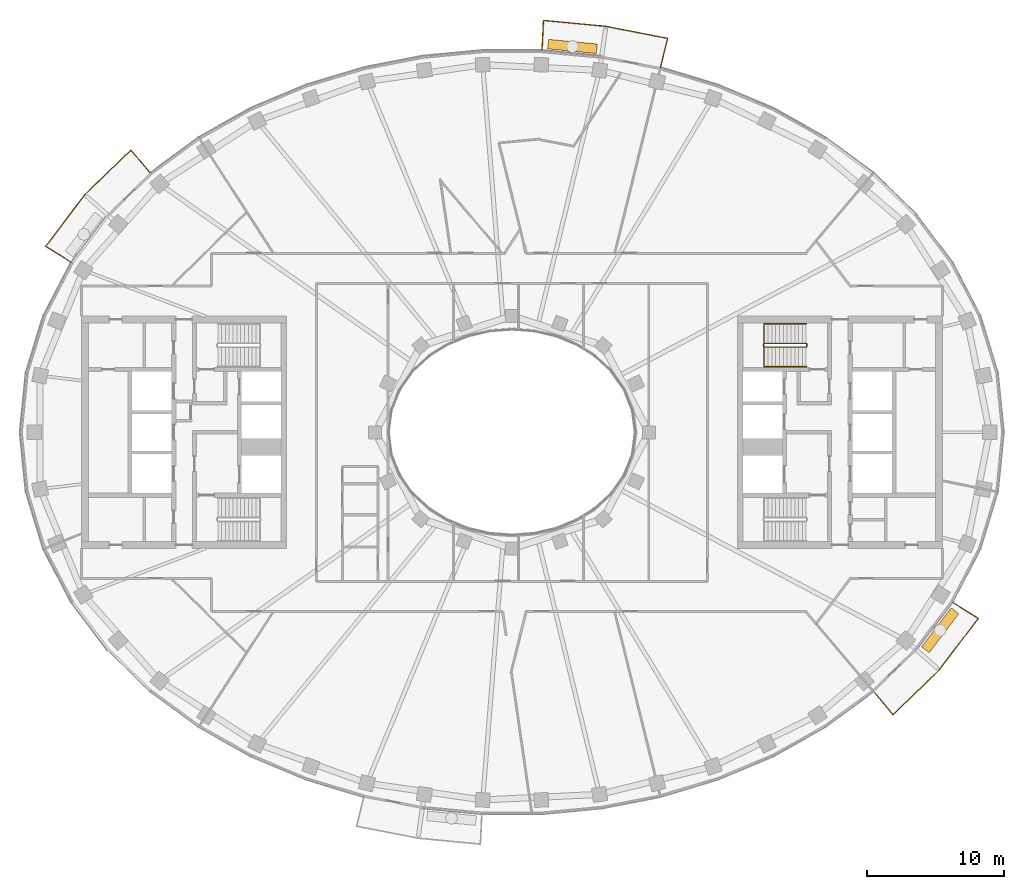
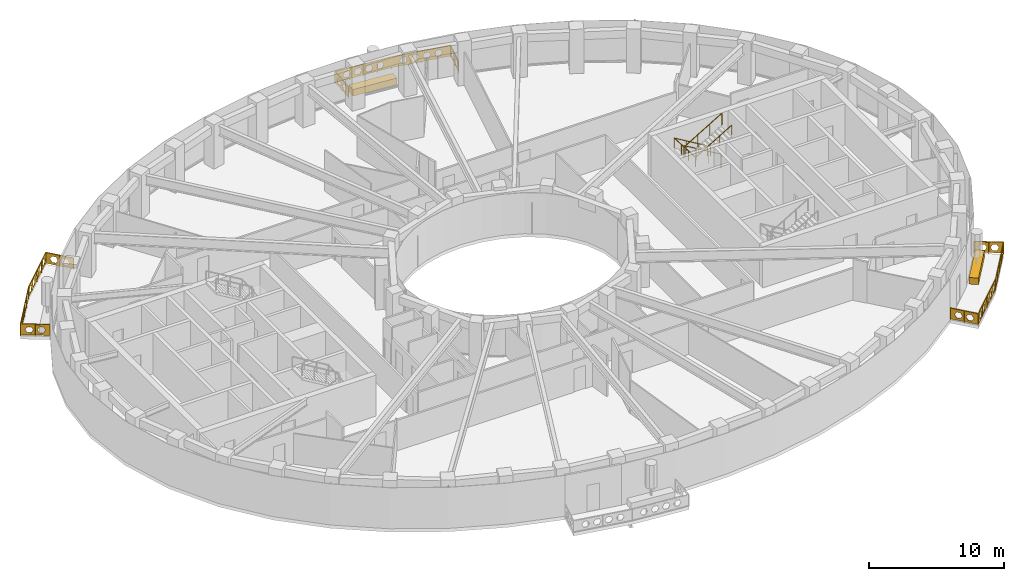
# One storey, part 15 of 16: 5 railings, 2 coverings.
"""IFC4 building model written with IfcOpenShell, lengths in metres."""

from ifc_helpers import new_model, si_unit, direction, frame, origin, origin_2d, place, context, subcontext, project, spatial, polyline, rectangle, outline, extrude, material, type_object, element, save


model = new_model("IFC4")

# Units and contexts
model_context = context("Model", 3, precision=1e-05, world=origin(), true_north=direction((0.0, 1.0)))
body_context = subcontext(model_context, "Body", "Model", "MODEL_VIEW")
ifc_project = project(units=[si_unit("LENGTHUNIT", "METRE"), si_unit("AREAUNIT", "SQUARE_METRE"), si_unit("VOLUMEUNIT", "CUBIC_METRE"), si_unit("PLANEANGLEUNIT", "RADIAN"), si_unit("MASSUNIT", "GRAM", prefix="KILO")], contexts=[model_context])

# Site, building, storey
site_placement = place(None, origin())
site = spatial("IfcSite", under=ifc_project, at=site_placement, CompositionType="ELEMENT")
building_placement = place(site_placement, origin())
building = spatial("IfcBuilding", under=site, at=building_placement, Name="Noorbagh Ring Tower", CompositionType="ELEMENT")
storey_placement = place(building_placement, frame((0.0, 0.0, 261.5)))
storey = spatial("IfcBuildingStorey", under=building, at=storey_placement, Name="L55", CompositionType="ELEMENT", Elevation=261.5)

# Railings
ifc_material_1 = material(Name="Stainless steel", Category="steel")
railing_type_1 = type_object("IfcRailingType", Name="CORE-STAIR-GUARD", PredefinedType="GUARDRAIL", material=ifc_material_1)
railing_1_placement = place(storey_placement, frame((21.580078125, 6.449951171875, 0.0)))
element("IfcRailing", 1, at=railing_1_placement, inside=storey, type_object=railing_type_1, Name="L55 ST3 stair guard", PredefinedType="GUARDRAIL", context=body_context, shape_type="SweptSolid", body=[
    extrude(rectangle(XDim=0.048095703125, YDim=0.048095703125, at=origin_2d()), frame((0.0, 0.0, 1.076171875), z_axis=(0.0, -1.0, 0.0), x_axis=(1.0, 0.0, 0.0)), (0.0, 0.0, 1.0), 0.14990234375),
    extrude(rectangle(XDim=0.048095703125, YDim=0.048095703125, at=origin_2d()), frame((0.0, -0.14990234375, 1.076171875), z_axis=(-0.188775798145, 0.754182335027, 0.628945707965), x_axis=(-0.970072785993, -0.242814311512, 0.0)), (0.0, 0.0, 1.0), 0.26513671875),
    extrude(rectangle(XDim=0.048095703125, YDim=0.048095703125, at=origin_2d()), frame((-0.050048828125, 0.050048828125, 1.24267578125), z_axis=(-0.859308565015, 0.0, 0.511457515432), x_axis=(0.0, -1.0, 0.0)), (0.0, 0.0, 1.0), 3.58447265625),
    extrude(rectangle(XDim=0.048095703125, YDim=0.048095703125, at=origin_2d()), frame((-3.130126953125, 0.050048828125, 3.076171875), z_axis=(-0.707106781187, -0.707106781187, 0.0), x_axis=(0.707106781187, -0.707106781187, 0.0)), (0.0, 0.0, 1.0), 0.07080078125),
    extrude(rectangle(XDim=0.048095703125, YDim=0.048095703125, at=origin_2d()), frame((-3.18017578125, 0.0, 3.076171875), z_axis=(0.0, -1.0, 0.0), x_axis=(1.0, 0.0, 0.0)), (0.0, 0.0, 1.0), 0.14990234375),
    extrude(rectangle(XDim=0.048095703125, YDim=0.048095703125, at=origin_2d()), frame((-3.18017578125, -0.14990234375, 3.076171875), z_axis=(0.27628659633, -0.27628659633, 0.920506074601), x_axis=(0.707106781187, 0.707106781187, 0.0)), (0.0, 0.0, 1.0), 0.18115234375),
    extrude(rectangle(XDim=0.048095703125, YDim=0.048095703125, at=origin_2d()), frame((-3.130126953125, -0.199951171875, 3.24267578125), z_axis=(0.859308565015, 0.0, 0.511457515432), x_axis=(0.0, 1.0, 0.0)), (0.0, 0.0, 1.0), 3.58447265625),
    extrude(rectangle(XDim=0.0419921875, YDim=0.0419921875, at=origin_2d()), origin(), (0.0, 0.0, 1.0), 1.052001953125),
    extrude(rectangle(XDim=0.0419921875, YDim=0.0419921875, at=origin_2d()), frame((-1.07666015625, 0.050048828125, 0.77783203125)), (0.0, 0.0, 1.0), 1.052001953125),
    extrude(rectangle(XDim=0.0419921875, YDim=0.0419921875, at=origin_2d()), frame((-2.103515625, 0.050048828125, 1.388916015625)), (0.0, 0.0, 1.0), 1.052001953125),
    extrude(rectangle(XDim=0.0419921875, YDim=0.0419921875, at=origin_2d()), frame((-3.130126953125, 0.050048828125, 2.0)), (0.0, 0.0, 1.0), 1.052001953125),
    extrude(rectangle(XDim=0.0419921875, YDim=0.0419921875, at=origin_2d()), frame((-3.130126953125, -0.199951171875, 2.166748046875)), (0.0, 0.0, 1.0), 1.052001953125),
    extrude(rectangle(XDim=0.0419921875, YDim=0.0419921875, at=origin_2d()), frame((-2.103515625, -0.199951171875, 2.77783203125)), (0.0, 0.0, 1.0), 1.052001953125),
    extrude(rectangle(XDim=0.0419921875, YDim=0.0419921875, at=origin_2d()), frame((-1.07666015625, -0.199951171875, 3.388916015625)), (0.0, 0.0, 1.0), 1.052001953125),
    extrude(rectangle(XDim=0.0419921875, YDim=0.0419921875, at=origin_2d()), frame((-0.050048828125, -0.199951171875, 4.0)), (0.0, 0.0, 1.0), 1.052001953125),
])
ifc_material_2 = material(Name="Stainless steel", Category="steel")
railing_type_2 = type_object("IfcRailingType", Name="CORE-STAIR-HANDRAIL", PredefinedType="HANDRAIL", material=ifc_material_2)
railing_2_placement = place(storey_placement, frame((21.530029296875, 7.949951171875, 0.166748046875)))
element("IfcRailing", 2, at=railing_2_placement, inside=storey, type_object=railing_type_2, Name="L55 ST3 stair handrail", PredefinedType="HANDRAIL", context=body_context, shape_type="SweptSolid", body=[
    extrude(rectangle(XDim=0.048095703125, YDim=0.048095703125, at=origin_2d()), frame((0.0, 0.0, 0.8759765625), z_axis=(-0.859308565015, 0.0, 0.511457515432), x_axis=(0.0, -1.0, 0.0)), (0.0, 0.0, 1.0), 3.58447265625),
    extrude(rectangle(XDim=0.048095703125, YDim=0.048095703125, at=origin_2d()), frame((-3.080078125, 0.0, 2.708984375), z_axis=(0.0, -0.998601747152, 0.052863509014), x_axis=(1.0, 0.0, 0.0)), (0.0, 0.0, 1.0), 3.154296875),
    extrude(rectangle(XDim=0.048095703125, YDim=0.048095703125, at=origin_2d()), frame((-3.080078125, -3.14990234375, 2.8759765625), z_axis=(0.859308565015, 0.0, 0.511457515432), x_axis=(0.0, 1.0, 0.0)), (0.0, 0.0, 1.0), 3.58447265625),
    extrude(rectangle(XDim=0.0419921875, YDim=0.0419921875, at=origin_2d()), origin(), (0.0, 0.0, 1.0), 0.851806640625),
    extrude(rectangle(XDim=0.0419921875, YDim=0.0419921875, at=origin_2d()), frame((-1.026611328125, 0.0, 0.611083984375)), (0.0, 0.0, 1.0), 0.851806640625),
    extrude(rectangle(XDim=0.0419921875, YDim=0.0419921875, at=origin_2d()), frame((-2.053466796875, 0.0, 1.22216796875)), (0.0, 0.0, 1.0), 0.851806640625),
    extrude(rectangle(XDim=0.0419921875, YDim=0.0419921875, at=origin_2d()), frame((-3.080078125, 0.0, 1.833251953125)), (0.0, 0.0, 1.0), 0.851806640625),
    extrude(rectangle(XDim=0.0419921875, YDim=0.0419921875, at=origin_2d()), frame((-3.080078125, -1.050048828125, 1.888916015625)), (0.0, 0.0, 1.0), 0.851806640625),
    extrude(rectangle(XDim=0.0419921875, YDim=0.0419921875, at=origin_2d()), frame((-3.080078125, -2.099853515625, 1.9443359375)), (0.0, 0.0, 1.0), 0.851806640625),
    extrude(rectangle(XDim=0.0419921875, YDim=0.0419921875, at=origin_2d()), frame((-3.080078125, -3.14990234375, 2.0)), (0.0, 0.0, 1.0), 0.851806640625),
    extrude(rectangle(XDim=0.0419921875, YDim=0.0419921875, at=origin_2d()), frame((-2.053466796875, -3.14990234375, 2.611083984375)), (0.0, 0.0, 1.0), 0.851806640625),
    extrude(rectangle(XDim=0.0419921875, YDim=0.0419921875, at=origin_2d()), frame((-1.026611328125, -3.14990234375, 3.22216796875)), (0.0, 0.0, 1.0), 0.851806640625),
    extrude(rectangle(XDim=0.0419921875, YDim=0.0419921875, at=origin_2d()), frame((0.0, -3.14990234375, 3.833251953125)), (0.0, 0.0, 1.0), 0.851806640625),
])
ifc_material_3 = material(Name="Steel S275 black powder-coated", Category="steel")
railing_type_3 = type_object("IfcRailingType", Name="ENV-GUARD", PredefinedType="GUARDRAIL", material=ifc_material_3)
railing_3_placement = place(storey_placement, frame((10.865234375, 26.6943359375, 0.0)))
element("IfcRailing", 3, at=railing_3_placement, inside=storey, type_object=railing_type_3, Name="Balcony guard BN03", PredefinedType="GUARDRAIL", context=body_context, shape_type="SweptSolid", body=[
    extrude(rectangle(XDim=0.048095703125, YDim=0.048095703125, at=origin_2d()), frame((0.0, 0.0, 1.076171875), z_axis=(0.239848558412, 0.970810315679, 0.0), x_axis=(-0.970810315679, 0.239848558412, 0.0)), (0.0, 0.0, 1.0), 2.20263671875),
    extrude(rectangle(XDim=0.048095703125, YDim=0.048095703125, at=origin_2d()), frame((0.5283203125, 2.138427734375, 1.076171875), z_axis=(-0.981625049064, 0.1908199755, 0.0), x_axis=(-0.1908199755, -0.981625049064, 0.0)), (0.0, 0.0, 1.0), 4.603271484375),
    extrude(rectangle(XDim=0.048095703125, YDim=0.048095703125, at=origin_2d()), frame((-3.990478515625, 3.016845703125, 1.076171875), z_axis=(-0.995477555764, 0.094997031379, 0.0), x_axis=(-0.094997031379, -0.995477555764, 0.0)), (0.0, 0.0, 1.0), 4.59765625),
    extrude(rectangle(XDim=0.048095703125, YDim=0.048095703125, at=origin_2d()), frame((-8.5673828125, 3.45361328125, 1.076171875), z_axis=(-0.047554616162, -0.998868639252, 0.0), x_axis=(0.998868639252, -0.047554616162, 0.0)), (0.0, 0.0, 1.0), 2.202392578125),
    extrude(rectangle(XDim=0.0419921875, YDim=0.0419921875, at=origin_2d()), origin(), (0.0, 0.0, 1.0), 1.052001953125),
    extrude(rectangle(XDim=0.0419921875, YDim=0.0419921875, at=origin_2d()), frame((0.26416015625, 1.0693359375, 0.0)), (0.0, 0.0, 1.0), 1.052001953125),
    extrude(rectangle(XDim=0.0419921875, YDim=0.0419921875, at=origin_2d()), frame((0.5283203125, 2.138427734375, 0.0)), (0.0, 0.0, 1.0), 1.052001953125),
    extrude(rectangle(XDim=0.0419921875, YDim=0.0419921875, at=origin_2d()), frame((-0.601318359375, 2.35791015625, 0.0)), (0.0, 0.0, 1.0), 1.052001953125),
    extrude(rectangle(XDim=0.0419921875, YDim=0.0419921875, at=origin_2d()), frame((-1.73095703125, 2.57763671875, 0.0)), (0.0, 0.0, 1.0), 1.052001953125),
    extrude(rectangle(XDim=0.0419921875, YDim=0.0419921875, at=origin_2d()), frame((-2.86083984375, 2.79736328125, 0.0)), (0.0, 0.0, 1.0), 1.052001953125),
    extrude(rectangle(XDim=0.0419921875, YDim=0.0419921875, at=origin_2d()), frame((-3.990478515625, 3.016845703125, 0.0)), (0.0, 0.0, 1.0), 1.052001953125),
    extrude(rectangle(XDim=0.0419921875, YDim=0.0419921875, at=origin_2d()), frame((-5.134765625, 3.1259765625, 0.0)), (0.0, 0.0, 1.0), 1.052001953125),
    extrude(rectangle(XDim=0.0419921875, YDim=0.0419921875, at=origin_2d()), frame((-6.27880859375, 3.2353515625, 0.0)), (0.0, 0.0, 1.0), 1.052001953125),
    extrude(rectangle(XDim=0.0419921875, YDim=0.0419921875, at=origin_2d()), frame((-7.423095703125, 3.344482421875, 0.0)), (0.0, 0.0, 1.0), 1.052001953125),
    extrude(rectangle(XDim=0.0419921875, YDim=0.0419921875, at=origin_2d()), frame((-8.5673828125, 3.45361328125, 0.0)), (0.0, 0.0, 1.0), 1.052001953125),
    extrude(rectangle(XDim=0.0419921875, YDim=0.0419921875, at=origin_2d()), frame((-8.61962890625, 2.353515625, 0.0)), (0.0, 0.0, 1.0), 1.052001953125),
    extrude(rectangle(XDim=0.0419921875, YDim=0.0419921875, at=origin_2d()), frame((-8.672119140625, 1.253662109375, 0.0)), (0.0, 0.0, 1.0), 1.052001953125),
    extrude(outline(polyline([(0.0, 0.10009765625), (2.20263671875, 0.10009765625), (2.20263671875, 1.031982421875), (0.0, 1.031982421875), (0.0, 0.10009765625)]), holes=[polyline([(0.96142578125, 0.56591796875), (0.806396484375, 0.83447265625), (0.496337890625, 0.83447265625), (0.34130859375, 0.56591796875), (0.496337890625, 0.297607421875), (0.806396484375, 0.297607421875), (0.96142578125, 0.56591796875)]), polyline([(1.861328125, 0.56591796875), (1.706298828125, 0.83447265625), (1.396240234375, 0.83447265625), (1.241455078125, 0.56591796875), (1.396240234375, 0.297607421875), (1.706298828125, 0.297607421875), (1.861328125, 0.56591796875)])]), frame((-0.009765625, 0.00244140625, 0.0), z_axis=(0.970810315679, -0.239848558412, 0.0), x_axis=(0.239848558412, 0.970810315679, 0.0)), (0.0, 0.0, 1.0), 0.02001953125),
    extrude(outline(polyline([(0.0, 0.10009765625), (4.603271484375, 0.10009765625), (4.603271484375, 1.031982421875), (0.0, 1.031982421875), (0.0, 0.10009765625)]), holes=[polyline([(1.26171875, 0.56591796875), (1.106689453125, 0.83447265625), (0.796630859375, 0.83447265625), (0.6416015625, 0.56591796875), (0.796630859375, 0.297607421875), (1.106689453125, 0.297607421875), (1.26171875, 0.56591796875)]), polyline([(2.16162109375, 0.56591796875), (2.006591796875, 0.83447265625), (1.69677734375, 0.83447265625), (1.541748046875, 0.56591796875), (1.69677734375, 0.297607421875), (2.006591796875, 0.297607421875), (2.16162109375, 0.56591796875)]), polyline([(3.061767578125, 0.56591796875), (2.90673828125, 0.83447265625), (2.5966796875, 0.83447265625), (2.441650390625, 0.56591796875), (2.5966796875, 0.297607421875), (2.90673828125, 0.297607421875), (3.061767578125, 0.56591796875)]), polyline([(3.961669921875, 0.56591796875), (3.806640625, 0.83447265625), (3.49658203125, 0.83447265625), (3.341796875, 0.56591796875), (3.49658203125, 0.297607421875), (3.806640625, 0.297607421875), (3.961669921875, 0.56591796875)])]), frame((0.5263671875, 2.128662109375, 0.0), z_axis=(0.1908199755, 0.981625049064, 0.0), x_axis=(-0.981625049064, 0.1908199755, 0.0)), (0.0, 0.0, 1.0), 0.02001953125),
    extrude(outline(polyline([(0.0, 0.10009765625), (4.59765625, 0.10009765625), (4.59765625, 1.031982421875), (0.0, 1.031982421875), (0.0, 0.10009765625)]), holes=[polyline([(1.2587890625, 0.56591796875), (1.103759765625, 0.83447265625), (0.7939453125, 0.83447265625), (0.638916015625, 0.56591796875), (0.7939453125, 0.297607421875), (1.103759765625, 0.297607421875), (1.2587890625, 0.56591796875)]), polyline([(2.158935546875, 0.56591796875), (2.00390625, 0.83447265625), (1.69384765625, 0.83447265625), (1.538818359375, 0.56591796875), (1.69384765625, 0.297607421875), (2.00390625, 0.297607421875), (2.158935546875, 0.56591796875)]), polyline([(3.058837890625, 0.56591796875), (2.90380859375, 0.83447265625), (2.59375, 0.83447265625), (2.43896484375, 0.56591796875), (2.59375, 0.297607421875), (2.90380859375, 0.297607421875), (3.058837890625, 0.56591796875)]), polyline([(3.958740234375, 0.56591796875), (3.803955078125, 0.83447265625), (3.493896484375, 0.83447265625), (3.3388671875, 0.56591796875), (3.493896484375, 0.297607421875), (3.803955078125, 0.297607421875), (3.958740234375, 0.56591796875)])]), frame((-3.991455078125, 3.0068359375, 0.0), z_axis=(0.094997031379, 0.995477555764, 0.0), x_axis=(-0.995477555764, 0.094997031379, 0.0)), (0.0, 0.0, 1.0), 0.02001953125),
    extrude(outline(polyline([(0.0, 0.10009765625), (2.202392578125, 0.10009765625), (2.202392578125, 1.031982421875), (0.0, 1.031982421875), (0.0, 0.10009765625)]), holes=[polyline([(0.961181640625, 0.56591796875), (0.80615234375, 0.83447265625), (0.496337890625, 0.83447265625), (0.34130859375, 0.56591796875), (0.496337890625, 0.297607421875), (0.80615234375, 0.297607421875), (0.961181640625, 0.56591796875)]), polyline([(1.861328125, 0.56591796875), (1.706298828125, 0.83447265625), (1.396240234375, 0.83447265625), (1.2412109375, 0.56591796875), (1.396240234375, 0.297607421875), (1.706298828125, 0.297607421875), (1.861328125, 0.56591796875)])]), frame((-8.557373046875, 3.453125, 0.0), z_axis=(-0.998868639252, 0.047554616162, 0.0), x_axis=(-0.047554616162, -0.998868639252, 0.0)), (0.0, 0.0, 1.0), 0.02001953125),
])
railing_4_placement = place(storey_placement, frame((-26.463134765625, 18.983154296875, 0.0)))
element("IfcRailing", 4, at=railing_4_placement, inside=storey, type_object=railing_type_3, Name="Balcony guard BN06", PredefinedType="GUARDRAIL", context=body_context, shape_type="SweptSolid", body=[
    extrude(rectangle(XDim=0.048095703125, YDim=0.048095703125, at=origin_2d()), frame((0.0, 0.0, 1.076171875), z_axis=(-0.646413574048, 0.762987215677, 0.0), x_axis=(-0.762987215677, -0.646413574048, 0.0)), (0.0, 0.0, 1.0), 2.205322265625),
    extrude(rectangle(XDim=0.048095703125, YDim=0.048095703125, at=origin_2d()), frame((-1.425537109375, 1.6826171875, 1.076171875), z_axis=(-0.717212632946, -0.696854388766, 0.0), x_axis=(0.696854388766, -0.717212632946, 0.0)), (0.0, 0.0, 1.0), 4.700927734375),
    extrude(rectangle(XDim=0.048095703125, YDim=0.048095703125, at=origin_2d()), frame((-4.797119140625, -1.59326171875, 1.076171875), z_axis=(-0.604001613322, -0.796983093362, 0.0), x_axis=(0.796983093362, -0.604001613322, 0.0)), (0.0, 0.0, 1.0), 4.7353515625),
    extrude(rectangle(XDim=0.048095703125, YDim=0.048095703125, at=origin_2d()), frame((-7.6572265625, -5.3671875, 1.076171875), z_axis=(0.844852397829, -0.534999463442, 0.0), x_axis=(0.534999463442, 0.844852397829, 0.0)), (0.0, 0.0, 1.0), 2.207763671875),
    extrude(rectangle(XDim=0.0419921875, YDim=0.0419921875, at=origin_2d()), origin(), (0.0, 0.0, 1.0), 1.052001953125),
    extrude(rectangle(XDim=0.0419921875, YDim=0.0419921875, at=origin_2d()), frame((-0.712890625, 0.84130859375, 0.0)), (0.0, 0.0, 1.0), 1.052001953125),
    extrude(rectangle(XDim=0.0419921875, YDim=0.0419921875, at=origin_2d()), frame((-1.425537109375, 1.6826171875, 0.0)), (0.0, 0.0, 1.0), 1.052001953125),
    extrude(rectangle(XDim=0.0419921875, YDim=0.0419921875, at=origin_2d()), frame((-2.2685546875, 0.86376953125, 0.0)), (0.0, 0.0, 1.0), 1.052001953125),
    extrude(rectangle(XDim=0.0419921875, YDim=0.0419921875, at=origin_2d()), frame((-3.111328125, 0.044677734375, 0.0)), (0.0, 0.0, 1.0), 1.052001953125),
    extrude(rectangle(XDim=0.0419921875, YDim=0.0419921875, at=origin_2d()), frame((-3.9541015625, -0.7744140625, 0.0)), (0.0, 0.0, 1.0), 1.052001953125),
    extrude(rectangle(XDim=0.0419921875, YDim=0.0419921875, at=origin_2d()), frame((-4.797119140625, -1.59326171875, 0.0)), (0.0, 0.0, 1.0), 1.052001953125),
    extrude(rectangle(XDim=0.0419921875, YDim=0.0419921875, at=origin_2d()), frame((-5.51220703125, -2.53662109375, 0.0)), (0.0, 0.0, 1.0), 1.052001953125),
    extrude(rectangle(XDim=0.0419921875, YDim=0.0419921875, at=origin_2d()), frame((-6.22705078125, -3.480224609375, 0.0)), (0.0, 0.0, 1.0), 1.052001953125),
    extrude(rectangle(XDim=0.0419921875, YDim=0.0419921875, at=origin_2d()), frame((-6.942138671875, -4.423828125, 0.0)), (0.0, 0.0, 1.0), 1.052001953125),
    extrude(rectangle(XDim=0.0419921875, YDim=0.0419921875, at=origin_2d()), frame((-7.6572265625, -5.3671875, 0.0)), (0.0, 0.0, 1.0), 1.052001953125),
    extrude(rectangle(XDim=0.0419921875, YDim=0.0419921875, at=origin_2d()), frame((-6.724609375, -5.957763671875, 0.0)), (0.0, 0.0, 1.0), 1.052001953125),
    extrude(rectangle(XDim=0.0419921875, YDim=0.0419921875, at=origin_2d()), frame((-5.7919921875, -6.54833984375, 0.0)), (0.0, 0.0, 1.0), 1.052001953125),
    extrude(outline(polyline([(0.0, 0.10009765625), (2.205322265625, 0.10009765625), (2.205322265625, 1.031982421875), (0.0, 1.031982421875), (0.0, 0.10009765625)]), holes=[polyline([(0.962646484375, 0.56591796875), (0.8076171875, 0.83447265625), (0.49755859375, 0.83447265625), (0.342529296875, 0.56591796875), (0.49755859375, 0.297607421875), (0.8076171875, 0.297607421875), (0.962646484375, 0.56591796875)]), polyline([(1.862548828125, 0.56591796875), (1.707763671875, 0.83447265625), (1.397705078125, 0.83447265625), (1.24267578125, 0.56591796875), (1.397705078125, 0.297607421875), (1.707763671875, 0.297607421875), (1.862548828125, 0.56591796875)])]), frame((-0.007568359375, -0.00634765625, 0.0), z_axis=(0.762987215677, 0.646413574048, 0.0), x_axis=(-0.646413574048, 0.762987215677, 0.0)), (0.0, 0.0, 1.0), 0.02001953125),
    extrude(outline(polyline([(0.0, 0.10009765625), (4.700927734375, 0.10009765625), (4.700927734375, 1.031982421875), (0.0, 1.031982421875), (0.0, 0.10009765625)]), holes=[polyline([(0.860595703125, 0.56591796875), (0.70556640625, 0.83447265625), (0.3955078125, 0.83447265625), (0.240478515625, 0.56591796875), (0.3955078125, 0.297607421875), (0.70556640625, 0.297607421875), (0.860595703125, 0.56591796875)]), polyline([(1.760498046875, 0.56591796875), (1.60546875, 0.83447265625), (1.29541015625, 0.83447265625), (1.140380859375, 0.56591796875), (1.29541015625, 0.297607421875), (1.60546875, 0.297607421875), (1.760498046875, 0.56591796875)]), polyline([(2.660400390625, 0.56591796875), (2.50537109375, 0.83447265625), (2.195556640625, 0.83447265625), (2.04052734375, 0.56591796875), (2.195556640625, 0.297607421875), (2.50537109375, 0.297607421875), (2.660400390625, 0.56591796875)]), polyline([(3.560546875, 0.56591796875), (3.405517578125, 0.83447265625), (3.095458984375, 0.83447265625), (2.9404296875, 0.56591796875), (3.095458984375, 0.297607421875), (3.405517578125, 0.297607421875), (3.560546875, 0.56591796875)]), polyline([(4.46044921875, 0.56591796875), (4.305419921875, 0.83447265625), (3.995361328125, 0.83447265625), (3.840576171875, 0.56591796875), (3.995361328125, 0.297607421875), (4.305419921875, 0.297607421875), (4.46044921875, 0.56591796875)])]), frame((-1.41845703125, 1.675537109375, 0.0), z_axis=(-0.696854388766, 0.717212632946, 0.0), x_axis=(-0.717212632946, -0.696854388766, 0.0)), (0.0, 0.0, 1.0), 0.02001953125),
    extrude(outline(polyline([(0.0, 0.10009765625), (4.7353515625, 0.10009765625), (4.7353515625, 1.031982421875), (0.0, 1.031982421875), (0.0, 0.10009765625)]), holes=[polyline([(0.877685546875, 0.56591796875), (0.72265625, 0.83447265625), (0.41259765625, 0.83447265625), (0.257568359375, 0.56591796875), (0.41259765625, 0.297607421875), (0.72265625, 0.297607421875), (0.877685546875, 0.56591796875)]), polyline([(1.777587890625, 0.56591796875), (1.62255859375, 0.83447265625), (1.312744140625, 0.83447265625), (1.15771484375, 0.56591796875), (1.312744140625, 0.297607421875), (1.62255859375, 0.297607421875), (1.777587890625, 0.56591796875)]), polyline([(2.677734375, 0.56591796875), (2.522705078125, 0.83447265625), (2.212646484375, 0.83447265625), (2.0576171875, 0.56591796875), (2.212646484375, 0.297607421875), (2.522705078125, 0.297607421875), (2.677734375, 0.56591796875)]), polyline([(3.57763671875, 0.56591796875), (3.422607421875, 0.83447265625), (3.112548828125, 0.83447265625), (2.95751953125, 0.56591796875), (3.112548828125, 0.297607421875), (3.422607421875, 0.297607421875), (3.57763671875, 0.56591796875)]), polyline([(4.4775390625, 0.56591796875), (4.32275390625, 0.83447265625), (4.0126953125, 0.83447265625), (3.857666015625, 0.56591796875), (4.0126953125, 0.297607421875), (4.32275390625, 0.297607421875), (4.4775390625, 0.56591796875)])]), frame((-4.7890625, -1.599365234375, 0.0), z_axis=(-0.796983093362, 0.604001613322, 0.0), x_axis=(-0.604001613322, -0.796983093362, 0.0)), (0.0, 0.0, 1.0), 0.02001953125),
    extrude(outline(polyline([(0.0, 0.10009765625), (2.207763671875, 0.10009765625), (2.207763671875, 1.031982421875), (0.0, 1.031982421875), (0.0, 0.10009765625)]), holes=[polyline([(0.9638671875, 0.56591796875), (0.808837890625, 0.83447265625), (0.498779296875, 0.83447265625), (0.343994140625, 0.56591796875), (0.498779296875, 0.297607421875), (0.808837890625, 0.297607421875), (0.9638671875, 0.56591796875)]), polyline([(1.86376953125, 0.56591796875), (1.708984375, 0.83447265625), (1.39892578125, 0.83447265625), (1.243896484375, 0.56591796875), (1.39892578125, 0.297607421875), (1.708984375, 0.297607421875), (1.86376953125, 0.56591796875)])]), frame((-7.65185546875, -5.358642578125, 0.0), z_axis=(-0.534999463442, -0.844852397829, 0.0), x_axis=(0.844852397829, -0.534999463442, 0.0)), (0.0, 0.0, 1.0), 0.02001953125),
])
railing_5_placement = place(storey_placement, frame((26.463134765625, -18.983154296875, 0.0)))
element("IfcRailing", 5, at=railing_5_placement, inside=storey, type_object=railing_type_3, Name="Balcony guard BS06", PredefinedType="GUARDRAIL", context=body_context, shape_type="SweptSolid", body=[
    extrude(rectangle(XDim=0.048095703125, YDim=0.048095703125, at=origin_2d()), frame((0.0, 0.0, 1.076171875), z_axis=(0.646413574048, -0.762987215677, 0.0), x_axis=(0.762987215677, 0.646413574048, 0.0)), (0.0, 0.0, 1.0), 2.205322265625),
    extrude(rectangle(XDim=0.048095703125, YDim=0.048095703125, at=origin_2d()), frame((1.425537109375, -1.6826171875, 1.076171875), z_axis=(0.717212632946, 0.696854388766, 0.0), x_axis=(-0.696854388766, 0.717212632946, 0.0)), (0.0, 0.0, 1.0), 4.700927734375),
    extrude(rectangle(XDim=0.048095703125, YDim=0.048095703125, at=origin_2d()), frame((4.797119140625, 1.59326171875, 1.076171875), z_axis=(0.604001613322, 0.796983093362, 0.0), x_axis=(-0.796983093362, 0.604001613322, 0.0)), (0.0, 0.0, 1.0), 4.7353515625),
    extrude(rectangle(XDim=0.048095703125, YDim=0.048095703125, at=origin_2d()), frame((7.6572265625, 5.3671875, 1.076171875), z_axis=(-0.844852397829, 0.534999463442, 0.0), x_axis=(-0.534999463442, -0.844852397829, 0.0)), (0.0, 0.0, 1.0), 2.207763671875),
    extrude(rectangle(XDim=0.0419921875, YDim=0.0419921875, at=origin_2d()), origin(), (0.0, 0.0, 1.0), 1.052001953125),
    extrude(rectangle(XDim=0.0419921875, YDim=0.0419921875, at=origin_2d()), frame((0.712890625, -0.84130859375, 0.0)), (0.0, 0.0, 1.0), 1.052001953125),
    extrude(rectangle(XDim=0.0419921875, YDim=0.0419921875, at=origin_2d()), frame((1.425537109375, -1.6826171875, 0.0)), (0.0, 0.0, 1.0), 1.052001953125),
    extrude(rectangle(XDim=0.0419921875, YDim=0.0419921875, at=origin_2d()), frame((2.2685546875, -0.86376953125, 0.0)), (0.0, 0.0, 1.0), 1.052001953125),
    extrude(rectangle(XDim=0.0419921875, YDim=0.0419921875, at=origin_2d()), frame((3.111328125, -0.044677734375, 0.0)), (0.0, 0.0, 1.0), 1.052001953125),
    extrude(rectangle(XDim=0.0419921875, YDim=0.0419921875, at=origin_2d()), frame((3.9541015625, 0.7744140625, 0.0)), (0.0, 0.0, 1.0), 1.052001953125),
    extrude(rectangle(XDim=0.0419921875, YDim=0.0419921875, at=origin_2d()), frame((4.797119140625, 1.59326171875, 0.0)), (0.0, 0.0, 1.0), 1.052001953125),
    extrude(rectangle(XDim=0.0419921875, YDim=0.0419921875, at=origin_2d()), frame((5.51220703125, 2.53662109375, 0.0)), (0.0, 0.0, 1.0), 1.052001953125),
    extrude(rectangle(XDim=0.0419921875, YDim=0.0419921875, at=origin_2d()), frame((6.22705078125, 3.480224609375, 0.0)), (0.0, 0.0, 1.0), 1.052001953125),
    extrude(rectangle(XDim=0.0419921875, YDim=0.0419921875, at=origin_2d()), frame((6.942138671875, 4.423828125, 0.0)), (0.0, 0.0, 1.0), 1.052001953125),
    extrude(rectangle(XDim=0.0419921875, YDim=0.0419921875, at=origin_2d()), frame((7.6572265625, 5.3671875, 0.0)), (0.0, 0.0, 1.0), 1.052001953125),
    extrude(rectangle(XDim=0.0419921875, YDim=0.0419921875, at=origin_2d()), frame((6.724609375, 5.957763671875, 0.0)), (0.0, 0.0, 1.0), 1.052001953125),
    extrude(rectangle(XDim=0.0419921875, YDim=0.0419921875, at=origin_2d()), frame((5.7919921875, 6.54833984375, 0.0)), (0.0, 0.0, 1.0), 1.052001953125),
    extrude(outline(polyline([(0.0, 0.10009765625), (2.205322265625, 0.10009765625), (2.205322265625, 1.031982421875), (0.0, 1.031982421875), (0.0, 0.10009765625)]), holes=[polyline([(0.962646484375, 0.56591796875), (0.8076171875, 0.83447265625), (0.49755859375, 0.83447265625), (0.342529296875, 0.56591796875), (0.49755859375, 0.297607421875), (0.8076171875, 0.297607421875), (0.962646484375, 0.56591796875)]), polyline([(1.862548828125, 0.56591796875), (1.707763671875, 0.83447265625), (1.397705078125, 0.83447265625), (1.24267578125, 0.56591796875), (1.397705078125, 0.297607421875), (1.707763671875, 0.297607421875), (1.862548828125, 0.56591796875)])]), frame((0.007568359375, 0.00634765625, 0.0), z_axis=(-0.762987215677, -0.646413574048, 0.0), x_axis=(0.646413574048, -0.762987215677, 0.0)), (0.0, 0.0, 1.0), 0.02001953125),
    extrude(outline(polyline([(0.0, 0.10009765625), (4.700927734375, 0.10009765625), (4.700927734375, 1.031982421875), (0.0, 1.031982421875), (0.0, 0.10009765625)]), holes=[polyline([(0.860595703125, 0.56591796875), (0.70556640625, 0.83447265625), (0.3955078125, 0.83447265625), (0.240478515625, 0.56591796875), (0.3955078125, 0.297607421875), (0.70556640625, 0.297607421875), (0.860595703125, 0.56591796875)]), polyline([(1.760498046875, 0.56591796875), (1.60546875, 0.83447265625), (1.29541015625, 0.83447265625), (1.140380859375, 0.56591796875), (1.29541015625, 0.297607421875), (1.60546875, 0.297607421875), (1.760498046875, 0.56591796875)]), polyline([(2.660400390625, 0.56591796875), (2.50537109375, 0.83447265625), (2.195556640625, 0.83447265625), (2.04052734375, 0.56591796875), (2.195556640625, 0.297607421875), (2.50537109375, 0.297607421875), (2.660400390625, 0.56591796875)]), polyline([(3.560546875, 0.56591796875), (3.405517578125, 0.83447265625), (3.095458984375, 0.83447265625), (2.9404296875, 0.56591796875), (3.095458984375, 0.297607421875), (3.405517578125, 0.297607421875), (3.560546875, 0.56591796875)]), polyline([(4.46044921875, 0.56591796875), (4.305419921875, 0.83447265625), (3.995361328125, 0.83447265625), (3.840576171875, 0.56591796875), (3.995361328125, 0.297607421875), (4.305419921875, 0.297607421875), (4.46044921875, 0.56591796875)])]), frame((1.41845703125, -1.675537109375, 0.0), z_axis=(0.696854388766, -0.717212632946, 0.0), x_axis=(0.717212632946, 0.696854388766, 0.0)), (0.0, 0.0, 1.0), 0.02001953125),
    extrude(outline(polyline([(0.0, 0.10009765625), (4.7353515625, 0.10009765625), (4.7353515625, 1.031982421875), (0.0, 1.031982421875), (0.0, 0.10009765625)]), holes=[polyline([(0.877685546875, 0.56591796875), (0.72265625, 0.83447265625), (0.41259765625, 0.83447265625), (0.257568359375, 0.56591796875), (0.41259765625, 0.297607421875), (0.72265625, 0.297607421875), (0.877685546875, 0.56591796875)]), polyline([(1.777587890625, 0.56591796875), (1.62255859375, 0.83447265625), (1.312744140625, 0.83447265625), (1.15771484375, 0.56591796875), (1.312744140625, 0.297607421875), (1.62255859375, 0.297607421875), (1.777587890625, 0.56591796875)]), polyline([(2.677734375, 0.56591796875), (2.522705078125, 0.83447265625), (2.212646484375, 0.83447265625), (2.0576171875, 0.56591796875), (2.212646484375, 0.297607421875), (2.522705078125, 0.297607421875), (2.677734375, 0.56591796875)]), polyline([(3.57763671875, 0.56591796875), (3.422607421875, 0.83447265625), (3.112548828125, 0.83447265625), (2.95751953125, 0.56591796875), (3.112548828125, 0.297607421875), (3.422607421875, 0.297607421875), (3.57763671875, 0.56591796875)]), polyline([(4.4775390625, 0.56591796875), (4.32275390625, 0.83447265625), (4.0126953125, 0.83447265625), (3.857666015625, 0.56591796875), (4.0126953125, 0.297607421875), (4.32275390625, 0.297607421875), (4.4775390625, 0.56591796875)])]), frame((4.7890625, 1.599365234375, 0.0), z_axis=(0.796983093362, -0.604001613322, 0.0), x_axis=(0.604001613322, 0.796983093362, 0.0)), (0.0, 0.0, 1.0), 0.02001953125),
    extrude(outline(polyline([(0.0, 0.10009765625), (2.207763671875, 0.10009765625), (2.207763671875, 1.031982421875), (0.0, 1.031982421875), (0.0, 0.10009765625)]), holes=[polyline([(0.9638671875, 0.56591796875), (0.808837890625, 0.83447265625), (0.498779296875, 0.83447265625), (0.343994140625, 0.56591796875), (0.498779296875, 0.297607421875), (0.808837890625, 0.297607421875), (0.9638671875, 0.56591796875)]), polyline([(1.86376953125, 0.56591796875), (1.708984375, 0.83447265625), (1.39892578125, 0.83447265625), (1.243896484375, 0.56591796875), (1.39892578125, 0.297607421875), (1.708984375, 0.297607421875), (1.86376953125, 0.56591796875)])]), frame((7.65185546875, 5.358642578125, 0.0), z_axis=(0.534999463442, 0.844852397829, 0.0), x_axis=(-0.844852397829, 0.534999463442, 0.0)), (0.0, 0.0, 1.0), 0.02001953125),
])

# Coverings
ifc_material_4 = material(Name="Concrete C30/37 planter with soil", Category="concrete")
covering_type = type_object("IfcCoveringType", Name="ENV-PLANTER", PredefinedType="CLADDING", material=ifc_material_4)
covering_1_placement = place(storey_placement, frame((4.423828125, 28.2373046875, 0.0), z_axis=(0.0, 0.0, 1.0), x_axis=(-0.995476497323, 0.095008122171, 0.0)))
element("IfcCovering", 6, at=covering_1_placement, inside=storey, type_object=covering_type, Name="PLANTER BN03", ObjectType="PLANTER", PredefinedType="CLADDING", context=body_context, shape_type="SweptSolid", body=[
    extrude(rectangle(XDim=3.58642578125, YDim=0.699951171875, at=origin_2d()), origin(), (0.0, 0.0, 1.0), 0.60009765625),
])
covering_2_placement = place(storey_placement, frame((31.329833984375, -14.4833984375, 0.0), z_axis=(0.0, 0.0, 1.0), x_axis=(0.604020184358, 0.796969018776, 0.0)))
element("IfcCovering", 7, at=covering_2_placement, inside=storey, type_object=covering_type, Name="PLANTER BS06", ObjectType="PLANTER", PredefinedType="CLADDING", context=body_context, shape_type="SweptSolid", body=[
    extrude(rectangle(XDim=3.583251953125, YDim=0.699951171875, at=origin_2d()), origin(), (0.0, 0.0, 1.0), 0.60009765625),
])

save(model, "model.ifc")
